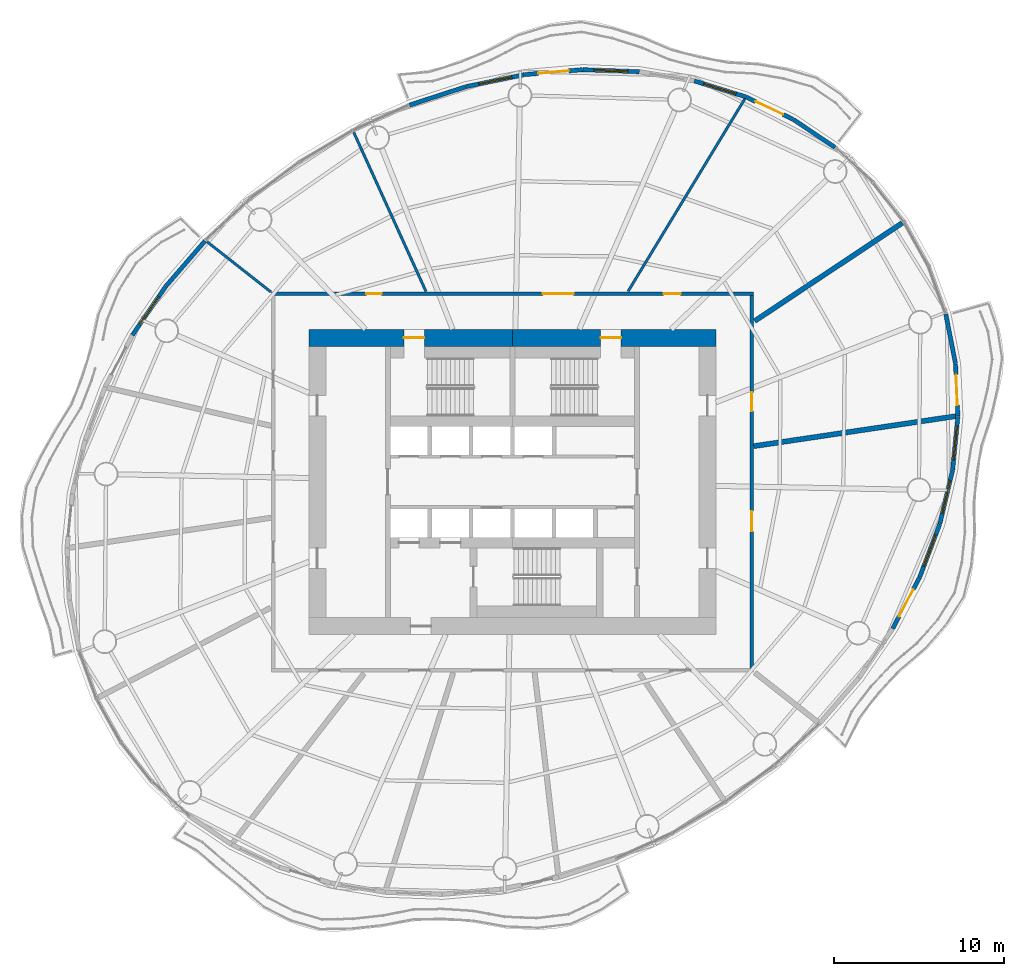
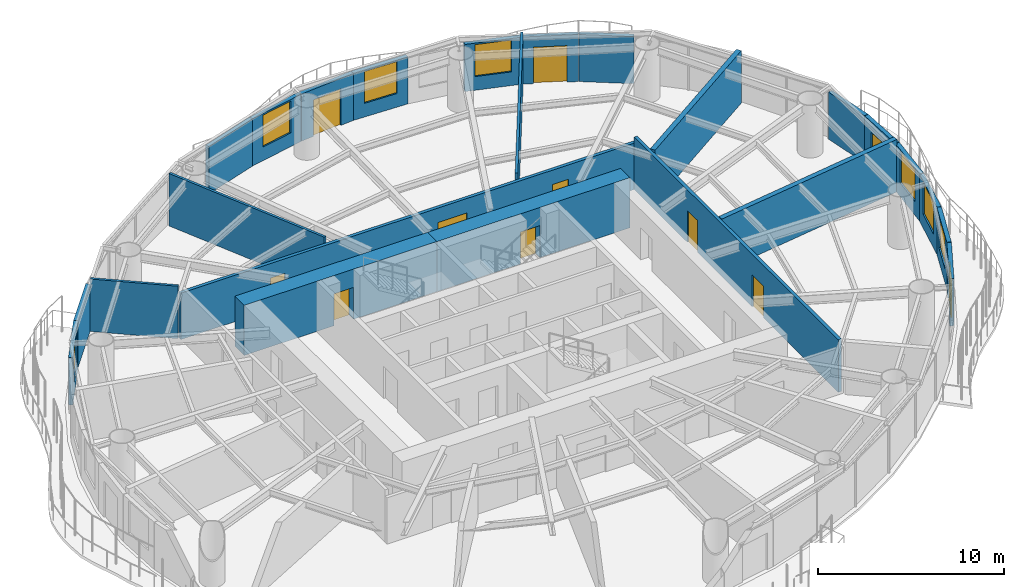
# One storey, part 10 of 15: 24 walls, 11 doors, 7 windows, 18 openings.
"""IFC4 building model written with IfcOpenShell, lengths in metres."""

from ifc_helpers import new_model, si_unit, direction, frame, frame_2d, origin, place, context, subcontext, project, spatial, rectangle, extrude, material, layer, layer_set, type_object, element, fill, save


model = new_model("IFC4")

# Units and contexts
model_context = context("Model", 3, precision=1e-05, world=origin(), true_north=direction((0.0, 1.0)))
body_context = subcontext(model_context, "Body", "Model", "MODEL_VIEW")
ifc_project = project(units=[si_unit("LENGTHUNIT", "METRE"), si_unit("AREAUNIT", "SQUARE_METRE"), si_unit("VOLUMEUNIT", "CUBIC_METRE"), si_unit("PLANEANGLEUNIT", "RADIAN"), si_unit("MASSUNIT", "GRAM", prefix="KILO")], contexts=[model_context])

# Site, building, storey
site_placement = place(None, origin())
site = spatial("IfcSite", under=ifc_project, at=site_placement, CompositionType="ELEMENT")
building_placement = place(site_placement, origin())
building = spatial("IfcBuilding", under=site, at=building_placement, Name="Vermilion Reach Broadcast Tower", CompositionType="ELEMENT")
storey_placement = place(building_placement, frame((0.0, 0.0, 168.60009765625)))
storey = spatial("IfcBuildingStorey", under=building, at=storey_placement, Name="L40", CompositionType="ELEMENT", Elevation=168.60009765625)

# Wall, opening, door
ifc_material_1 = material(Name="Concrete C70", Category="concrete")
ifc_layer_1 = layer(ifc_material_1, 1.0)
ifc_layer_set_1 = layer_set([ifc_layer_1], Name="Core outer wall 1000 mm Concrete C70")
wall_type_1 = type_object("IfcWallType", Name="Core outer wall 1000 mm Concrete C70", PredefinedType="SHEAR", material=ifc_layer_set_1)
wall_1_placement = place(storey_placement, frame((6.0, 8.5, 0.0), z_axis=(0.0, 0.0, 1.0), x_axis=(-1.0, 0.0, 0.0)))
wall_1 = element("IfcWall", 1, at=wall_1_placement, inside=storey, type_object=wall_type_1, Name="L40 core wall onE", PredefinedType="SHEAR", context=body_context, shape_type="SweptSolid", body=[
    extrude(rectangle(XDim=12.0, YDim=1.0, at=frame_2d((6.0, 0.0))), origin(), (0.0, 0.0, 1.0), 3.2998046875),
])
opening_1_placement = place(wall_1_placement, frame((5.60009765625, 0.0, 0.0)))
opening_1 = element("IfcOpeningElement", 2, at=opening_1_placement, cuts=wall_1, Name="Opening D01", PredefinedType="OPENING", context=body_context, shape_type="SweptSolid", body=[
    extrude(rectangle(XDim=1.199951171875, YDim=2.10009765625, at=frame_2d((0.60009765625, 1.050048828125))), frame((0.0, 0.510009765625, 0.0), z_axis=(0.0, -1.0, 0.0), x_axis=(1.0, 0.0, 0.0)), (0.0, 0.0, 1.0), 1.02001953125),
])
ifc_material_2 = material(Name="Painted steel fire door", Category="steel")
door_type_1 = type_object("IfcDoorType", Name="Stair door 1200 x 2100", OperationType="DOUBLE_DOOR_SINGLE_SWING", PredefinedType="NOTDEFINED", material=ifc_material_2)
door_1_placement = place(opening_1_placement, origin())
door_1 = element("IfcDoor", 3, at=door_1_placement, inside=storey, type_object=door_type_1, Name="L40 stair door ST2", OperationType="DOUBLE_DOOR_SINGLE_SWING", OverallHeight=2.10009765625, OverallWidth=1.199951171875, PredefinedType="NOTDEFINED", context=body_context, shape_type="SweptSolid", body=[
    extrude(rectangle(XDim=1.199951171875, YDim=2.10009765625, at=frame_2d((0.60009765625, 1.050048828125))), frame((0.0, 0.02490234375, 0.0), z_axis=(0.0, -1.0, 0.0), x_axis=(1.0, 0.0, 0.0)), (0.0, 0.0, 1.0), 0.050048828125),
])
fill(opening_1, door_1)

wall_2_placement = place(storey_placement, frame((-6.0, 8.5, 0.0), z_axis=(0.0, 0.0, 1.0), x_axis=(-1.0, 0.0, 0.0)))
wall_2 = element("IfcWall", 4, at=wall_2_placement, inside=storey, type_object=wall_type_1, Name="L40 core wall onW", PredefinedType="SHEAR", context=body_context, shape_type="SweptSolid", body=[
    extrude(rectangle(XDim=12.0, YDim=1.0, at=frame_2d((6.0, 0.0))), origin(), (0.0, 0.0, 1.0), 3.2998046875),
])
opening_2_placement = place(wall_2_placement, frame((5.199951171875, 0.0, 0.0)))
opening_2 = element("IfcOpeningElement", 5, at=opening_2_placement, cuts=wall_2, Name="Opening D01", PredefinedType="OPENING", context=body_context, shape_type="SweptSolid", body=[
    extrude(rectangle(XDim=1.199951171875, YDim=2.10009765625, at=frame_2d((0.60009765625, 1.050048828125))), frame((0.0, 0.510009765625, 0.0), z_axis=(0.0, -1.0, 0.0), x_axis=(1.0, 0.0, 0.0)), (0.0, 0.0, 1.0), 1.02001953125),
])
door_2_placement = place(opening_2_placement, origin())
door_2 = element("IfcDoor", 6, at=door_2_placement, inside=storey, type_object=door_type_1, Name="L40 stair door ST1", OperationType="DOUBLE_DOOR_SINGLE_SWING", OverallHeight=2.10009765625, OverallWidth=1.199951171875, PredefinedType="NOTDEFINED", context=body_context, shape_type="SweptSolid", body=[
    extrude(rectangle(XDim=1.199951171875, YDim=2.10009765625, at=frame_2d((0.60009765625, 1.050048828125))), frame((0.0, 0.02490234375, 0.0), z_axis=(0.0, -1.0, 0.0), x_axis=(1.0, 0.0, 0.0)), (0.0, 0.0, 1.0), 0.050048828125),
])
fill(opening_2, door_2)

# Wall, openings, doors
ifc_material_3 = material(Name="Fire-rated gypsum board partition")
ifc_layer_2 = layer(ifc_material_3, 0.199951171875)
ifc_layer_set_2 = layer_set([ifc_layer_2], Name="Corridor wall 200 fire-rated")
wall_type_2 = type_object("IfcWallType", Name="Corridor wall 200 fire-rated", PredefinedType="PARTITIONING", material=ifc_layer_set_2)
wall_3_placement = place(storey_placement, frame((8.10009765625, 11.0, 0.0), z_axis=(0.0, 0.0, 1.0), x_axis=(0.0, -1.0, 0.0)))
wall_3 = element("IfcWall", 7, at=wall_3_placement, inside=storey, type_object=wall_type_2, Name="Corridor wall 40.E", PredefinedType="PARTITIONING", context=body_context, shape_type="SweptSolid", body=[
    extrude(rectangle(XDim=22.0, YDim=0.199951171875, at=frame_2d((11.0, 0.0))), origin(), (0.0, 0.0, 1.0), 3.449951171875),
])
opening_3_placement = place(wall_3_placement, frame((12.716064453125, 0.0, 0.0)))
opening_3 = element("IfcOpeningElement", 8, at=opening_3_placement, cuts=wall_3, Name="Opening D26", PredefinedType="OPENING", context=body_context, shape_type="SweptSolid", body=[
    extrude(rectangle(XDim=1.199951171875, YDim=2.10009765625, at=frame_2d((0.60009765625, 1.050048828125))), frame((0.0, 0.10986328125, 0.0), z_axis=(0.0, -1.0, 0.0), x_axis=(1.0, 0.0, 0.0)), (0.0, 0.0, 1.0), 0.219970703125),
])
opening_4_placement = place(wall_3_placement, frame((5.72509765625, 0.0, 0.0)))
opening_4 = element("IfcOpeningElement", 9, at=opening_4_placement, cuts=wall_3, Name="Opening D28", PredefinedType="OPENING", context=body_context, shape_type="SweptSolid", body=[
    extrude(rectangle(XDim=1.10009765625, YDim=2.10009765625, at=frame_2d((0.550048828125, 1.050048828125))), frame((0.0, 0.10986328125, 0.0), z_axis=(0.0, -1.0, 0.0), x_axis=(1.0, 0.0, 0.0)), (0.0, 0.0, 1.0), 0.219970703125),
])
ifc_material_4 = material(Name="Acoustic sound-lock door leaf")
door_type_2 = type_object("IfcDoorType", Name="Door single 1100x2100", OperationType="NOTDEFINED", PredefinedType="DOOR", material=ifc_material_4)
door_3_placement = place(opening_4_placement, origin())
door_3 = element("IfcDoor", 10, at=door_3_placement, inside=storey, type_object=door_type_2, Name="Door 40.13", OperationType="SINGLE_SWING_RIGHT", OverallHeight=2.10009765625, OverallWidth=1.10009765625, PredefinedType="DOOR", context=body_context, shape_type="SweptSolid", body=[
    extrude(rectangle(XDim=1.10009765625, YDim=2.10009765625, at=frame_2d((0.550048828125, 1.050048828125))), frame((0.0, 0.02490234375, 0.0), z_axis=(0.0, -1.0, 0.0), x_axis=(1.0, 0.0, 0.0)), (0.0, 0.0, 1.0), 0.050048828125),
])
fill(opening_4, door_3)
ifc_material_5 = material(Name="Acoustic timber door leaf", Category="wood")
door_type_3 = type_object("IfcDoorType", Name="Door single 1200x2100", OperationType="NOTDEFINED", PredefinedType="DOOR", material=ifc_material_5)
door_4_placement = place(opening_3_placement, origin())
door_4 = element("IfcDoor", 11, at=door_4_placement, inside=storey, type_object=door_type_3, Name="Door 40.12", OperationType="SINGLE_SWING_LEFT", OverallHeight=2.10009765625, OverallWidth=1.199951171875, PredefinedType="DOOR", context=body_context, shape_type="SweptSolid", body=[
    extrude(rectangle(XDim=1.199951171875, YDim=2.10009765625, at=frame_2d((0.60009765625, 1.050048828125))), frame((0.0, 0.02490234375, 0.0), z_axis=(0.0, -1.0, 0.0), x_axis=(1.0, 0.0, 0.0)), (0.0, 0.0, 1.0), 0.050048828125),
])
fill(opening_3, door_4)

# Walls
ifc_material_6 = material(Name="Lightweight concrete block, plastered", Category="concrete")
ifc_layer_3 = layer(ifc_material_6, 0.14990234375)
ifc_layer_set_3 = layer_set([ifc_layer_3], Name="Partition 150 lightweight block")
wall_type_3 = type_object("IfcWallType", Name="Partition 150 lightweight block", PredefinedType="PARTITIONING", material=ifc_layer_set_3)
wall_4_placement = place(storey_placement, frame((7.701904296875, 22.59033203125, 0.0), z_axis=(0.0, 0.0, 1.0), x_axis=(-0.518600423231, -0.855016725582, 0.0)))
element("IfcWall", 12, at=wall_4_placement, inside=storey, type_object=wall_type_3, Name="Partition 40.02", PredefinedType="PARTITIONING", context=body_context, shape_type="SweptSolid", body=[
    extrude(rectangle(XDim=13.276123046875, YDim=0.14990234375, at=frame_2d((6.63818359375, 0.0))), origin(), (0.0, 0.0, 1.0), 3.449951171875),
])
wall_5_placement = place(storey_placement, frame((-15.353759765625, 20.603759765625, 0.0), z_axis=(0.0, 0.0, 1.0), x_axis=(0.413381174211, -0.910558073276, 0.0)))
element("IfcWall", 13, at=wall_5_placement, inside=storey, type_object=wall_type_3, Name="Partition 40.03", PredefinedType="PARTITIONING", context=body_context, shape_type="SweptSolid", body=[
    extrude(rectangle(XDim=10.29345703125, YDim=0.14990234375, at=frame_2d((5.146728515625, 0.0))), origin(), (0.0, 0.0, 1.0), 3.449951171875),
])
wall_6_placement = place(storey_placement, frame((-24.004638671875, 14.16162109375, 0.0), z_axis=(0.0, 0.0, 1.0), x_axis=(0.786002862243, -0.6182228567, 0.0)))
element("IfcWall", 14, at=wall_6_placement, inside=storey, type_object=wall_type_3, Name="Partition 40.04", PredefinedType="PARTITIONING", context=body_context, shape_type="SweptSolid", body=[
    extrude(rectangle(XDim=4.781494140625, YDim=0.14990234375, at=frame_2d((2.390625, 0.0))), origin(), (0.0, 0.0, 1.0), 3.449951171875),
])
ifc_material_7 = material(Name="Double-leaf plasterboard on isolated steel stud", Category="steel")
ifc_layer_4 = layer(ifc_material_7, 0.300048828125)
ifc_layer_set_4 = layer_set([ifc_layer_4], Name="Partition 300 acoustic double leaf")
wall_type_4 = type_object("IfcWallType", Name="Partition 300 acoustic double leaf", PredefinedType="PARTITIONING", material=ifc_layer_set_4)
wall_7_placement = place(storey_placement, frame((16.97998046875, 15.267822265625, 0.0), z_axis=(0.0, 0.0, 1.0), x_axis=(-0.832919781607, -0.553393745363, 0.0)))
element("IfcWall", 15, at=wall_7_placement, inside=storey, type_object=wall_type_4, Name="Partition 40.01", PredefinedType="PARTITIONING", context=body_context, shape_type="SweptSolid", body=[
    extrude(rectangle(XDim=10.441650390625, YDim=0.300048828125, at=frame_2d((5.220703125, 0.0))), origin(), (0.0, 0.0, 1.0), 3.449951171875),
])
wall_8_placement = place(storey_placement, frame((20.135009765625, 3.877197265625, 0.0), z_axis=(0.0, 0.0, 1.0), x_axis=(-0.989174164401, -0.146746286091, 0.0)))
element("IfcWall", 16, at=wall_8_placement, inside=storey, type_object=wall_type_4, Name="Partition 40.13", PredefinedType="PARTITIONING", context=body_context, shape_type="SweptSolid", body=[
    extrude(rectangle(XDim=12.04345703125, YDim=0.300048828125, at=frame_2d((6.021728515625, 0.0))), origin(), (0.0, 0.0, 1.0), 3.449951171875),
])
ifc_material_8 = material(Name="Terracotta rainscreen cladding", Category="masonry")
ifc_layer_5 = layer(ifc_material_8, 0.25)
ifc_layer_set_5 = layer_set([ifc_layer_5], Name="Terracotta rainscreen wall 250")
wall_type_5 = type_object("IfcWallType", Name="Terracotta rainscreen wall 250", PredefinedType="SOLIDWALL", material=ifc_layer_set_5)
wall_9_placement = place(storey_placement, frame((13.019287109375, 19.718994140625, 0.0), z_axis=(0.0, 0.0, 1.0), x_axis=(-0.830042449649, 0.557700216765, 0.0)))
element("IfcWall", 17, at=wall_9_placement, inside=storey, type_object=wall_type_5, Name="External wall L40 02", PredefinedType="SOLIDWALL", context=body_context, shape_type="SweptSolid", body=[
    extrude(rectangle(XDim=2.963623046875, YDim=0.25, at=frame_2d((1.48193359375, 0.0))), origin(), (0.0, 0.0, 1.0), 3.099853515625),
])

# Wall, opening, door
wall_10_placement = place(storey_placement, frame((10.5361328125, 21.385009765625, 0.0), z_axis=(0.0, 0.0, 1.0), x_axis=(-0.903619724227, 0.428335609058, 0.0)))
wall_10 = element("IfcWall", 18, at=wall_10_placement, inside=storey, type_object=wall_type_5, Name="External wall L40 03", PredefinedType="SOLIDWALL", context=body_context, shape_type="SweptSolid", body=[
    extrude(rectangle(XDim=3.0732421875, YDim=0.25, at=frame_2d((1.53662109375, 0.0))), origin(), (0.0, 0.0, 1.0), 3.099853515625),
])
opening_5_placement = place(wall_10_placement, frame((0.636962890625, 0.0, 0.0)))
opening_5 = element("IfcOpeningElement", 19, at=opening_5_placement, cuts=wall_10, Name="Opening D70", PredefinedType="OPENING", context=body_context, shape_type="SweptSolid", body=[
    extrude(rectangle(XDim=1.800048828125, YDim=2.39990234375, at=frame_2d((0.89990234375, 1.199951171875))), frame((0.0, 0.135009765625, 0.0), z_axis=(0.0, -1.0, 0.0), x_axis=(1.0, 0.0, 0.0)), (0.0, 0.0, 1.0), 0.27001953125),
])
ifc_material_9 = material(Name="Low-e laminated clear glass in aluminium frame", Category="aluminium")
door_type_4 = type_object("IfcDoorType", Name="Balcony sliding door 1800 x 2400", OperationType="DOUBLE_DOOR_SLIDING", PredefinedType="DOOR", material=ifc_material_9)
door_5_placement = place(opening_5_placement, origin())
door_5 = element("IfcDoor", 20, at=door_5_placement, inside=storey, type_object=door_type_4, Name="Balcony door L40 run 01", OperationType="DOUBLE_DOOR_SLIDING", OverallHeight=2.39990234375, OverallWidth=1.800048828125, PredefinedType="DOOR", context=body_context, shape_type="SweptSolid", body=[
    extrude(rectangle(XDim=1.800048828125, YDim=2.39990234375, at=frame_2d((0.89990234375, 1.199951171875))), frame((0.0, 0.02490234375, 0.0), z_axis=(0.0, -1.0, 0.0), x_axis=(1.0, 0.0, 0.0)), (0.0, 0.0, 1.0), 0.050048828125),
])
fill(opening_5, door_5)

# Wall, opening, window
wall_11_placement = place(storey_placement, frame((7.73486328125, 22.710693359375, 0.0), z_axis=(0.0, 0.0, 1.0), x_axis=(-0.955252052872, 0.295793028119, 0.0)))
wall_11 = element("IfcWall", 21, at=wall_11_placement, inside=storey, type_object=wall_type_5, Name="External wall L40 04", PredefinedType="SOLIDWALL", context=body_context, shape_type="SweptSolid", body=[
    extrude(rectangle(XDim=3.154541015625, YDim=0.25, at=frame_2d((1.5771484375, 0.0))), origin(), (0.0, 0.0, 1.0), 3.099853515625),
])
opening_6_placement = place(wall_11_placement, frame((0.577392578125, 0.0, 0.89990234375)))
opening_6 = element("IfcOpeningElement", 22, at=opening_6_placement, cuts=wall_11, Name="Opening W03", PredefinedType="OPENING", context=body_context, shape_type="SweptSolid", body=[
    extrude(rectangle(XDim=2.0, YDim=2.10009765625, at=frame_2d((1.0, 1.050048828125))), frame((0.0, 0.135009765625, 0.0), z_axis=(0.0, -1.0, 0.0), x_axis=(1.0, 0.0, 0.0)), (0.0, 0.0, 1.0), 0.27001953125),
])
ifc_material_10 = material(Name="Low-e laminated clear glass in aluminium frame", Category="aluminium")
window_type = type_object("IfcWindowType", Name="Punched window 2000 x 2100 sill 900", PartitioningType="SINGLE_PANEL", PredefinedType="WINDOW", material=ifc_material_10)
window_1_placement = place(opening_6_placement, origin())
window_1 = element("IfcWindow", 23, at=window_1_placement, inside=storey, type_object=window_type, Name="Window L40 04", OverallHeight=2.10009765625, OverallWidth=2.0, PartitioningType="SINGLE_PANEL", PredefinedType="WINDOW", context=body_context, shape_type="SweptSolid", body=[
    extrude(rectangle(XDim=2.0, YDim=2.10009765625, at=frame_2d((1.0, 1.050048828125))), frame((0.0, 0.030029296875, 0.0), z_axis=(0.0, -1.0, 0.0), x_axis=(1.0, 0.0, 0.0)), (0.0, 0.0, 1.0), 0.06005859375),
])
fill(opening_6, window_1)

wall_12_placement = place(storey_placement, frame((1.474609375, 24.184814453125, 0.0), z_axis=(0.0, 0.0, 1.0), x_axis=(-0.999325831556, 0.036713517754, 0.0)))
wall_12 = element("IfcWall", 24, at=wall_12_placement, inside=storey, type_object=wall_type_5, Name="External wall L40 06", PredefinedType="SOLIDWALL", context=body_context, shape_type="SweptSolid", body=[
    extrude(rectangle(XDim=3.33154296875, YDim=0.25, at=frame_2d((1.665771484375, 0.0))), origin(), (0.0, 0.0, 1.0), 3.099853515625),
])
opening_7_placement = place(wall_12_placement, frame((0.665771484375, 0.0, 0.89990234375)))
opening_7 = element("IfcOpeningElement", 25, at=opening_7_placement, cuts=wall_12, Name="Opening W03", PredefinedType="OPENING", context=body_context, shape_type="SweptSolid", body=[
    extrude(rectangle(XDim=2.0, YDim=2.10009765625, at=frame_2d((1.0, 1.050048828125))), frame((0.0, 0.135009765625, 0.0), z_axis=(0.0, -1.0, 0.0), x_axis=(1.0, 0.0, 0.0)), (0.0, 0.0, 1.0), 0.27001953125),
])
window_2_placement = place(opening_7_placement, origin())
window_2 = element("IfcWindow", 26, at=window_2_placement, inside=storey, type_object=window_type, Name="Window L40 06", OverallHeight=2.10009765625, OverallWidth=2.0, PartitioningType="SINGLE_PANEL", PredefinedType="WINDOW", context=body_context, shape_type="SweptSolid", body=[
    extrude(rectangle(XDim=2.0, YDim=2.10009765625, at=frame_2d((1.0, 1.050048828125))), frame((0.0, 0.030029296875, 0.0), z_axis=(0.0, -1.0, 0.0), x_axis=(1.0, 0.0, 0.0)), (0.0, 0.0, 1.0), 0.06005859375),
])
fill(opening_7, window_2)

# Wall, opening, door
wall_13_placement = place(storey_placement, frame((-1.8779296875, 24.306396484375, 0.0), z_axis=(0.0, 0.0, 1.0), x_axis=(-0.996350297924, -0.085358560359, 0.0)))
wall_13 = element("IfcWall", 27, at=wall_13_placement, inside=storey, type_object=wall_type_5, Name="External wall L40 07", PredefinedType="SOLIDWALL", context=body_context, shape_type="SweptSolid", body=[
    extrude(rectangle(XDim=3.4150390625, YDim=0.25, at=frame_2d((1.70751953125, 0.0))), origin(), (0.0, 0.0, 1.0), 3.099853515625),
])
opening_8_placement = place(wall_13_placement, frame((0.806884765625, 0.0, 0.0)))
opening_8 = element("IfcOpeningElement", 28, at=opening_8_placement, cuts=wall_13, Name="Opening D70", PredefinedType="OPENING", context=body_context, shape_type="SweptSolid", body=[
    extrude(rectangle(XDim=1.800048828125, YDim=2.39990234375, at=frame_2d((0.89990234375, 1.199951171875))), frame((0.0, 0.135009765625, 0.0), z_axis=(0.0, -1.0, 0.0), x_axis=(1.0, 0.0, 0.0)), (0.0, 0.0, 1.0), 0.27001953125),
])
door_6_placement = place(opening_8_placement, origin())
door_6 = element("IfcDoor", 29, at=door_6_placement, inside=storey, type_object=door_type_4, Name="Balcony door L40 run 02", OperationType="DOUBLE_DOOR_SLIDING", OverallHeight=2.39990234375, OverallWidth=1.800048828125, PredefinedType="DOOR", context=body_context, shape_type="SweptSolid", body=[
    extrude(rectangle(XDim=1.800048828125, YDim=2.39990234375, at=frame_2d((0.89990234375, 1.199951171875))), frame((0.0, 0.02490234375, 0.0), z_axis=(0.0, -1.0, 0.0), x_axis=(1.0, 0.0, 0.0)), (0.0, 0.0, 1.0), 0.050048828125),
])
fill(opening_8, door_6)

# Wall, opening, window
wall_14_placement = place(storey_placement, frame((-5.302734375, 24.01171875, 0.0), z_axis=(0.0, 0.0, 1.0), x_axis=(-0.979588567623, -0.201013029881, 0.0)))
wall_14 = element("IfcWall", 30, at=wall_14_placement, inside=storey, type_object=wall_type_5, Name="External wall L40 08", PredefinedType="SOLIDWALL", context=body_context, shape_type="SweptSolid", body=[
    extrude(rectangle(XDim=3.48828125, YDim=0.25, at=frame_2d((1.744140625, 0.0))), origin(), (0.0, 0.0, 1.0), 3.099853515625),
])
opening_9_placement = place(wall_14_placement, frame((0.744140625, 0.0, 0.89990234375)))
opening_9 = element("IfcOpeningElement", 31, at=opening_9_placement, cuts=wall_14, Name="Opening W03", PredefinedType="OPENING", context=body_context, shape_type="SweptSolid", body=[
    extrude(rectangle(XDim=2.0, YDim=2.10009765625, at=frame_2d((1.0, 1.050048828125))), frame((0.0, 0.135009765625, 0.0), z_axis=(0.0, -1.0, 0.0), x_axis=(1.0, 0.0, 0.0)), (0.0, 0.0, 1.0), 0.27001953125),
])
window_3_placement = place(opening_9_placement, origin())
window_3 = element("IfcWindow", 32, at=window_3_placement, inside=storey, type_object=window_type, Name="Window L40 08", OverallHeight=2.10009765625, OverallWidth=2.0, PartitioningType="SINGLE_PANEL", PredefinedType="WINDOW", context=body_context, shape_type="SweptSolid", body=[
    extrude(rectangle(XDim=2.0, YDim=2.10009765625, at=frame_2d((1.0, 1.050048828125))), frame((0.0, 0.030029296875, 0.0), z_axis=(0.0, -1.0, 0.0), x_axis=(1.0, 0.0, 0.0)), (0.0, 0.0, 1.0), 0.06005859375),
])
fill(opening_9, window_3)

# Walls
wall_15_placement = place(storey_placement, frame((-8.740966796875, 23.304931640625, 0.0), z_axis=(0.0, 0.0, 1.0), x_axis=(-0.950740111952, -0.309989095817, 0.0)))
element("IfcWall", 33, at=wall_15_placement, inside=storey, type_object=wall_type_5, Name="External wall L40 09", PredefinedType="SOLIDWALL", context=body_context, shape_type="SweptSolid", body=[
    extrude(rectangle(XDim=3.50244140625, YDim=0.25, at=frame_2d((1.751220703125, 0.0))), origin(), (0.0, 0.0, 1.0), 3.099853515625),
])
wall_16_placement = place(storey_placement, frame((-24.130615234375, 14.206787109375, 0.0), z_axis=(0.0, 0.0, 1.0), x_axis=(-0.654160555631, -0.756355714897, 0.0)))
element("IfcWall", 34, at=wall_16_placement, inside=storey, type_object=wall_type_5, Name="External wall L40 14", PredefinedType="SOLIDWALL", context=body_context, shape_type="SweptSolid", body=[
    extrude(rectangle(XDim=3.502197265625, YDim=0.25, at=frame_2d((1.7509765625, 0.0))), origin(), (0.0, 0.0, 1.0), 3.099853515625),
])

# Wall, opening, window
wall_17_placement = place(storey_placement, frame((-26.43505859375, 11.540283203125, 0.0), z_axis=(0.0, 0.0, 1.0), x_axis=(-0.564914738845, -0.825149282152, 0.0)))
wall_17 = element("IfcWall", 35, at=wall_17_placement, inside=storey, type_object=wall_type_5, Name="External wall L40 15", PredefinedType="SOLIDWALL", context=body_context, shape_type="SweptSolid", body=[
    extrude(rectangle(XDim=3.488037109375, YDim=0.25, at=frame_2d((1.744140625, 0.0))), origin(), (0.0, 0.0, 1.0), 3.099853515625),
])
opening_10_placement = place(wall_17_placement, frame((0.744140625, 0.0, 0.89990234375)))
opening_10 = element("IfcOpeningElement", 36, at=opening_10_placement, cuts=wall_17, Name="Opening W03", PredefinedType="OPENING", context=body_context, shape_type="SweptSolid", body=[
    extrude(rectangle(XDim=2.0, YDim=2.10009765625, at=frame_2d((1.0, 1.050048828125))), frame((0.0, 0.135009765625, 0.0), z_axis=(0.0, -1.0, 0.0), x_axis=(1.0, 0.0, 0.0)), (0.0, 0.0, 1.0), 0.27001953125),
])
window_4_placement = place(opening_10_placement, origin())
window_4 = element("IfcWindow", 37, at=window_4_placement, inside=storey, type_object=window_type, Name="Window L40 15", OverallHeight=2.10009765625, OverallWidth=2.0, PartitioningType="SINGLE_PANEL", PredefinedType="WINDOW", context=body_context, shape_type="SweptSolid", body=[
    extrude(rectangle(XDim=2.0, YDim=2.10009765625, at=frame_2d((1.0, 1.050048828125))), frame((0.0, 0.030029296875, 0.0), z_axis=(0.0, -1.0, 0.0), x_axis=(1.0, 0.0, 0.0)), (0.0, 0.0, 1.0), 0.06005859375),
])
fill(opening_10, window_4)

# Wall, opening, door
wall_18_placement = place(storey_placement, frame((16.417236328125, -8.642822265625, 0.0), z_axis=(0.0, 0.0, 1.0), x_axis=(0.464826893602, 0.885401580631, 0.0)))
wall_18 = element("IfcWall", 38, at=wall_18_placement, inside=storey, type_object=wall_type_5, Name="External wall L40 40", PredefinedType="SOLIDWALL", context=body_context, shape_type="SweptSolid", body=[
    extrude(rectangle(XDim=3.4150390625, YDim=0.25, at=frame_2d((1.70751953125, 0.0))), origin(), (0.0, 0.0, 1.0), 3.099853515625),
])
opening_11_placement = place(wall_18_placement, frame((0.806884765625, 0.0, 0.0)))
opening_11 = element("IfcOpeningElement", 39, at=opening_11_placement, cuts=wall_18, Name="Opening D70", PredefinedType="OPENING", context=body_context, shape_type="SweptSolid", body=[
    extrude(rectangle(XDim=1.800048828125, YDim=2.39990234375, at=frame_2d((0.89990234375, 1.199951171875))), frame((0.0, 0.135009765625, 0.0), z_axis=(0.0, -1.0, 0.0), x_axis=(1.0, 0.0, 0.0)), (0.0, 0.0, 1.0), 0.27001953125),
])
door_7_placement = place(opening_11_placement, origin())
door_7 = element("IfcDoor", 40, at=door_7_placement, inside=storey, type_object=door_type_4, Name="Balcony door L40 run 10", OperationType="DOUBLE_DOOR_SLIDING", OverallHeight=2.39990234375, OverallWidth=1.800048828125, PredefinedType="DOOR", context=body_context, shape_type="SweptSolid", body=[
    extrude(rectangle(XDim=1.800048828125, YDim=2.39990234375, at=frame_2d((0.89990234375, 1.199951171875))), frame((0.0, 0.02490234375, 0.0), z_axis=(0.0, -1.0, 0.0), x_axis=(1.0, 0.0, 0.0)), (0.0, 0.0, 1.0), 0.050048828125),
])
fill(opening_11, door_7)

# Wall, opening, window
wall_19_placement = place(storey_placement, frame((18.01416015625, -5.597900390625, 0.0), z_axis=(0.0, 0.0, 1.0), x_axis=(0.353443321973, 0.935455941321, 0.0)))
wall_19 = element("IfcWall", 41, at=wall_19_placement, inside=storey, type_object=wall_type_5, Name="External wall L40 41", PredefinedType="SOLIDWALL", context=body_context, shape_type="SweptSolid", body=[
    extrude(rectangle(XDim=3.33154296875, YDim=0.25, at=frame_2d((1.665771484375, 0.0))), origin(), (0.0, 0.0, 1.0), 3.099853515625),
])
opening_12_placement = place(wall_19_placement, frame((0.665771484375, 0.0, 0.89990234375)))
opening_12 = element("IfcOpeningElement", 42, at=opening_12_placement, cuts=wall_19, Name="Opening W03", PredefinedType="OPENING", context=body_context, shape_type="SweptSolid", body=[
    extrude(rectangle(XDim=2.0, YDim=2.10009765625, at=frame_2d((1.0, 1.050048828125))), frame((0.0, 0.135009765625, 0.0), z_axis=(0.0, -1.0, 0.0), x_axis=(1.0, 0.0, 0.0)), (0.0, 0.0, 1.0), 0.27001953125),
])
window_5_placement = place(opening_12_placement, origin())
window_5 = element("IfcWindow", 43, at=window_5_placement, inside=storey, type_object=window_type, Name="Window L40 41", OverallHeight=2.10009765625, OverallWidth=2.0, PartitioningType="SINGLE_PANEL", PredefinedType="WINDOW", context=body_context, shape_type="SweptSolid", body=[
    extrude(rectangle(XDim=2.0, YDim=2.10009765625, at=frame_2d((1.0, 1.050048828125))), frame((0.0, 0.030029296875, 0.0), z_axis=(0.0, -1.0, 0.0), x_axis=(1.0, 0.0, 0.0)), (0.0, 0.0, 1.0), 0.06005859375),
])
fill(opening_12, window_5)

wall_20_placement = place(storey_placement, frame((19.19873046875, -2.45849609375, 0.0), z_axis=(0.0, 0.0, 1.0), x_axis=(0.230755279109, 0.973011819642, 0.0)))
wall_20 = element("IfcWall", 44, at=wall_20_placement, inside=storey, type_object=wall_type_5, Name="External wall L40 42", PredefinedType="SOLIDWALL", context=body_context, shape_type="SweptSolid", body=[
    extrude(rectangle(XDim=3.24267578125, YDim=0.25, at=frame_2d((1.621337890625, 0.0))), origin(), (0.0, 0.0, 1.0), 3.099853515625),
])
opening_13_placement = place(wall_20_placement, frame((0.621337890625, 0.0, 0.89990234375)))
opening_13 = element("IfcOpeningElement", 45, at=opening_13_placement, cuts=wall_20, Name="Opening W03", PredefinedType="OPENING", context=body_context, shape_type="SweptSolid", body=[
    extrude(rectangle(XDim=2.0, YDim=2.10009765625, at=frame_2d((1.0, 1.050048828125))), frame((0.0, 0.135009765625, 0.0), z_axis=(0.0, -1.0, 0.0), x_axis=(1.0, 0.0, 0.0)), (0.0, 0.0, 1.0), 0.27001953125),
])
window_6_placement = place(opening_13_placement, origin())
window_6 = element("IfcWindow", 46, at=window_6_placement, inside=storey, type_object=window_type, Name="Window L40 42", OverallHeight=2.10009765625, OverallWidth=2.0, PartitioningType="SINGLE_PANEL", PredefinedType="WINDOW", context=body_context, shape_type="SweptSolid", body=[
    extrude(rectangle(XDim=2.0, YDim=2.10009765625, at=frame_2d((1.0, 1.050048828125))), frame((0.0, 0.030029296875, 0.0), z_axis=(0.0, -1.0, 0.0), x_axis=(1.0, 0.0, 0.0)), (0.0, 0.0, 1.0), 0.06005859375),
])
fill(opening_13, window_6)

wall_21_placement = place(storey_placement, frame((19.951171875, 0.721435546875, 0.0), z_axis=(0.0, 0.0, 1.0), x_axis=(0.097518814735, 0.99523368149, 0.0)))
wall_21 = element("IfcWall", 47, at=wall_21_placement, inside=storey, type_object=wall_type_5, Name="External wall L40 43", PredefinedType="SOLIDWALL", context=body_context, shape_type="SweptSolid", body=[
    extrude(rectangle(XDim=3.154541015625, YDim=0.25, at=frame_2d((1.5771484375, 0.0))), origin(), (0.0, 0.0, 1.0), 3.099853515625),
])
opening_14_placement = place(wall_21_placement, frame((0.577392578125, 0.0, 0.89990234375)))
opening_14 = element("IfcOpeningElement", 48, at=opening_14_placement, cuts=wall_21, Name="Opening W03", PredefinedType="OPENING", context=body_context, shape_type="SweptSolid", body=[
    extrude(rectangle(XDim=2.0, YDim=2.10009765625, at=frame_2d((1.0, 1.050048828125))), frame((0.0, 0.135009765625, 0.0), z_axis=(0.0, -1.0, 0.0), x_axis=(1.0, 0.0, 0.0)), (0.0, 0.0, 1.0), 0.27001953125),
])
window_7_placement = place(opening_14_placement, origin())
window_7 = element("IfcWindow", 49, at=window_7_placement, inside=storey, type_object=window_type, Name="Window L40 43", OverallHeight=2.10009765625, OverallWidth=2.0, PartitioningType="SINGLE_PANEL", PredefinedType="WINDOW", context=body_context, shape_type="SweptSolid", body=[
    extrude(rectangle(XDim=2.0, YDim=2.10009765625, at=frame_2d((1.0, 1.050048828125))), frame((0.0, 0.030029296875, 0.0), z_axis=(0.0, -1.0, 0.0), x_axis=(1.0, 0.0, 0.0)), (0.0, 0.0, 1.0), 0.06005859375),
])
fill(opening_14, window_7)

# Wall, opening, door
wall_22_placement = place(storey_placement, frame((20.25927734375, 3.88671875, 0.0), z_axis=(0.0, 0.0, 1.0), x_axis=(-0.044643739649, 0.999002971222, 0.0)))
wall_22 = element("IfcWall", 50, at=wall_22_placement, inside=storey, type_object=wall_type_5, Name="External wall L40 44", PredefinedType="SOLIDWALL", context=body_context, shape_type="SweptSolid", body=[
    extrude(rectangle(XDim=3.073486328125, YDim=0.25, at=frame_2d((1.53662109375, 0.0))), origin(), (0.0, 0.0, 1.0), 3.099853515625),
])
opening_15_placement = place(wall_22_placement, frame((0.636962890625, 0.0, 0.0)))
opening_15 = element("IfcOpeningElement", 51, at=opening_15_placement, cuts=wall_22, Name="Opening D70", PredefinedType="OPENING", context=body_context, shape_type="SweptSolid", body=[
    extrude(rectangle(XDim=1.800048828125, YDim=2.39990234375, at=frame_2d((0.89990234375, 1.199951171875))), frame((0.0, 0.135009765625, 0.0), z_axis=(0.0, -1.0, 0.0), x_axis=(1.0, 0.0, 0.0)), (0.0, 0.0, 1.0), 0.27001953125),
])
door_8_placement = place(opening_15_placement, origin())
door_8 = element("IfcDoor", 52, at=door_8_placement, inside=storey, type_object=door_type_4, Name="Balcony door L40 run 11", OperationType="DOUBLE_DOOR_SLIDING", OverallHeight=2.39990234375, OverallWidth=1.800048828125, PredefinedType="DOOR", context=body_context, shape_type="SweptSolid", body=[
    extrude(rectangle(XDim=1.800048828125, YDim=2.39990234375, at=frame_2d((0.89990234375, 1.199951171875))), frame((0.0, 0.02490234375, 0.0), z_axis=(0.0, -1.0, 0.0), x_axis=(1.0, 0.0, 0.0)), (0.0, 0.0, 1.0), 0.050048828125),
])
fill(opening_15, door_8)

# Wall
wall_23_placement = place(storey_placement, frame((20.118896484375, 6.9833984375, 0.0), z_axis=(0.0, 0.0, 1.0), x_axis=(-0.192503114172, 0.981296362489, 0.0)))
element("IfcWall", 53, at=wall_23_placement, inside=storey, type_object=wall_type_5, Name="External wall L40 45", PredefinedType="SOLIDWALL", context=body_context, shape_type="SweptSolid", body=[
    extrude(rectangle(XDim=2.9638671875, YDim=0.25, at=frame_2d((1.48193359375, 0.0))), origin(), (0.0, 0.0, 1.0), 3.099853515625),
])

# Wall, openings, doors
ifc_material_11 = material(Name="Fire-rated gypsum board partition")
ifc_layer_6 = layer(ifc_material_11, 0.199951171875)
ifc_layer_set_6 = layer_set([ifc_layer_6], Name="Under girder: Corridor wall 200 fire-rated")
wall_type_6 = type_object("IfcWallType", Name="Under girder: Corridor wall 200 fire-rated", PredefinedType="PARTITIONING", material=ifc_layer_set_6)
wall_24_placement = place(storey_placement, frame((-20.199951171875, 11.10009765625, 0.0), z_axis=(0.0, 0.0, 1.0), x_axis=(1.0, 0.0, 0.0)))
wall_24 = element("IfcWall", 54, at=wall_24_placement, inside=storey, type_object=wall_type_6, Name="Corridor wall 40.N", PredefinedType="PARTITIONING", context=body_context, shape_type="SweptSolid", body=[
    extrude(rectangle(XDim=28.39990234375, YDim=0.199951171875, at=frame_2d((14.199951171875, 0.0))), origin(), (0.0, 0.0, 1.0), 3.0498046875),
])
opening_16_placement = place(wall_24_placement, frame((23.115234375, 0.0, 0.0)))
opening_16 = element("IfcOpeningElement", 55, at=opening_16_placement, cuts=wall_24, Name="Opening D20", PredefinedType="OPENING", context=body_context, shape_type="SweptSolid", body=[
    extrude(rectangle(XDim=1.0, YDim=2.10009765625, at=frame_2d((0.5, 1.050048828125))), frame((0.0, 0.10986328125, 0.0), z_axis=(0.0, -1.0, 0.0), x_axis=(1.0, 0.0, 0.0)), (0.0, 0.0, 1.0), 0.219970703125),
])
opening_17_placement = place(wall_24_placement, frame((16.0, 0.0, 0.0)))
opening_17 = element("IfcOpeningElement", 56, at=opening_17_placement, cuts=wall_24, Name="Opening D21", PredefinedType="OPENING", context=body_context, shape_type="SweptSolid", body=[
    extrude(rectangle(XDim=1.800048828125, YDim=2.10009765625, at=frame_2d((0.89990234375, 1.050048828125))), frame((0.0, 0.10986328125, 0.0), z_axis=(0.0, -1.0, 0.0), x_axis=(1.0, 0.0, 0.0)), (0.0, 0.0, 1.0), 0.219970703125),
])
opening_18_placement = place(wall_24_placement, frame((5.580810546875, 0.0, 0.0)))
opening_18 = element("IfcOpeningElement", 57, at=opening_18_placement, cuts=wall_24, Name="Opening D22", PredefinedType="OPENING", context=body_context, shape_type="SweptSolid", body=[
    extrude(rectangle(XDim=0.89990234375, YDim=2.10009765625, at=frame_2d((0.449951171875, 1.050048828125))), frame((0.0, 0.10986328125, 0.0), z_axis=(0.0, -1.0, 0.0), x_axis=(1.0, 0.0, 0.0)), (0.0, 0.0, 1.0), 0.219970703125),
])
ifc_material_12 = material(Name="Timber door leaf", Category="wood")
door_type_5 = type_object("IfcDoorType", Name="Door pair 1800x2100", OperationType="NOTDEFINED", PredefinedType="DOOR", material=ifc_material_12)
door_9_placement = place(opening_17_placement, origin())
door_9 = element("IfcDoor", 58, at=door_9_placement, inside=storey, type_object=door_type_5, Name="Door 40.02", OperationType="DOUBLE_DOOR_SINGLE_SWING", OverallHeight=2.10009765625, OverallWidth=1.800048828125, PredefinedType="DOOR", context=body_context, shape_type="SweptSolid", body=[
    extrude(rectangle(XDim=1.800048828125, YDim=2.10009765625, at=frame_2d((0.89990234375, 1.050048828125))), frame((0.0, 0.02490234375, 0.0), z_axis=(0.0, -1.0, 0.0), x_axis=(1.0, 0.0, 0.0)), (0.0, 0.0, 1.0), 0.050048828125),
])
fill(opening_17, door_9)
ifc_material_13 = material(Name="Timber door leaf", Category="wood")
door_type_6 = type_object("IfcDoorType", Name="Door single 1000x2100", OperationType="NOTDEFINED", PredefinedType="DOOR", material=ifc_material_13)
door_10_placement = place(opening_16_placement, origin())
door_10 = element("IfcDoor", 59, at=door_10_placement, inside=storey, type_object=door_type_6, Name="Door 40.01", OperationType="SINGLE_SWING_LEFT", OverallHeight=2.10009765625, OverallWidth=1.0, PredefinedType="DOOR", context=body_context, shape_type="SweptSolid", body=[
    extrude(rectangle(XDim=1.0, YDim=2.10009765625, at=frame_2d((0.5, 1.050048828125))), frame((0.0, 0.02490234375, 0.0), z_axis=(0.0, -1.0, 0.0), x_axis=(1.0, 0.0, 0.0)), (0.0, 0.0, 1.0), 0.050048828125),
])
fill(opening_16, door_10)
ifc_material_14 = material(Name="Timber door leaf", Category="wood")
door_type_7 = type_object("IfcDoorType", Name="Door single 900x2100", OperationType="NOTDEFINED", PredefinedType="DOOR", material=ifc_material_14)
door_11_placement = place(opening_18_placement, origin())
door_11 = element("IfcDoor", 60, at=door_11_placement, inside=storey, type_object=door_type_7, Name="Door 40.03", OperationType="SINGLE_SWING_RIGHT", OverallHeight=2.10009765625, OverallWidth=0.89990234375, PredefinedType="DOOR", context=body_context, shape_type="SweptSolid", body=[
    extrude(rectangle(XDim=0.89990234375, YDim=2.10009765625, at=frame_2d((0.449951171875, 1.050048828125))), frame((0.0, 0.02490234375, 0.0), z_axis=(0.0, -1.0, 0.0), x_axis=(1.0, 0.0, 0.0)), (0.0, 0.0, 1.0), 0.050048828125),
])
fill(opening_18, door_11)

save(model, "model.ifc")
